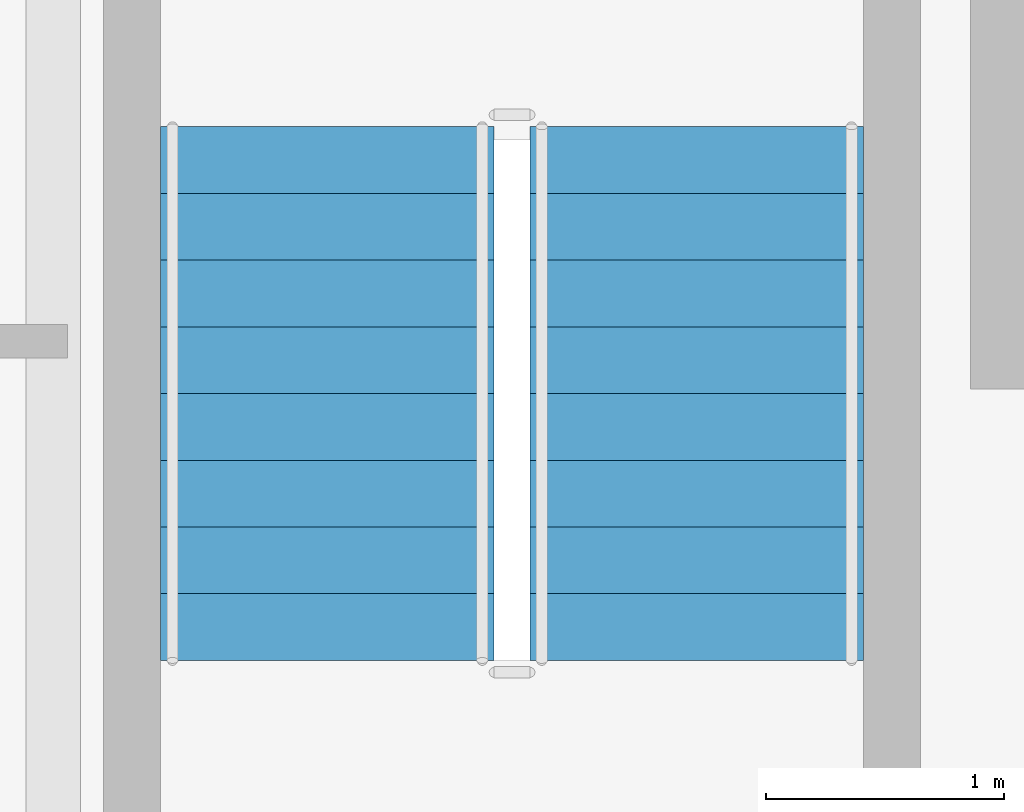
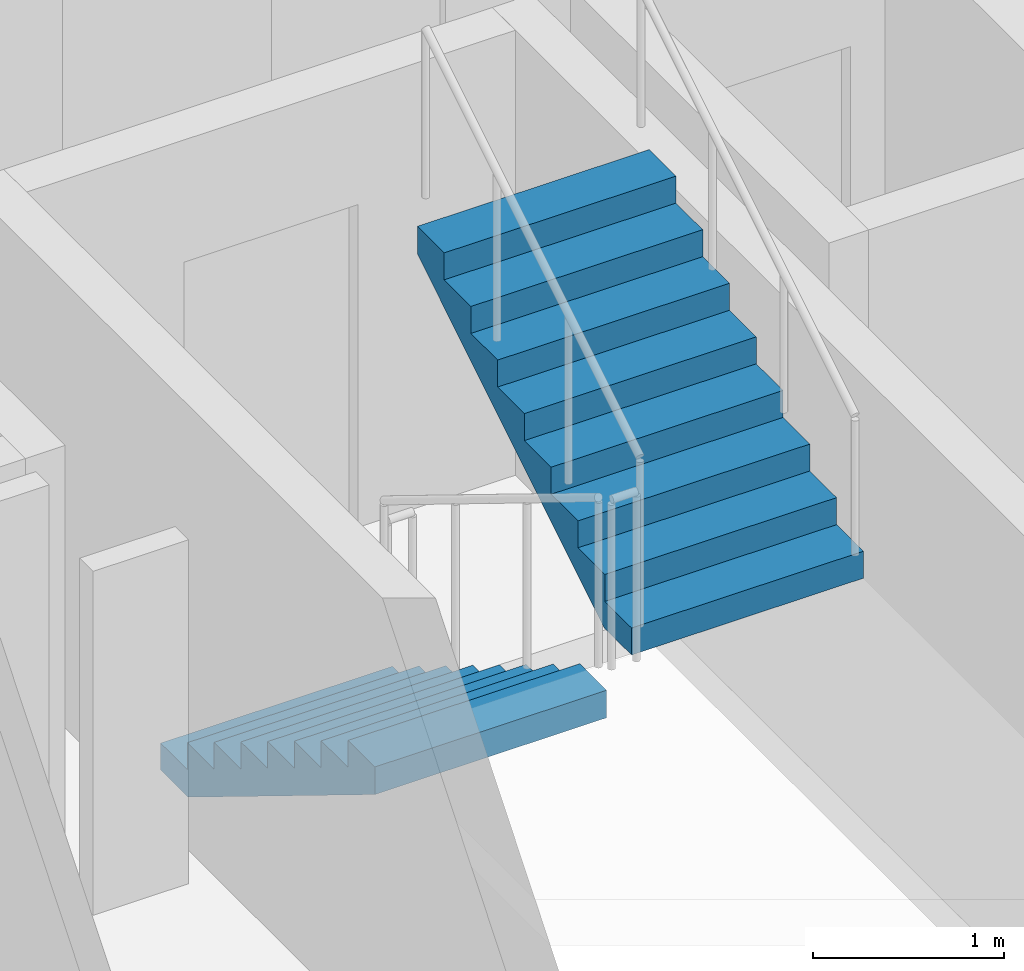
# One storey, part 33 of 36: 2 stair flights, 1 element without a shape of its own.
"""IFC4 building model written with IfcOpenShell, lengths in metres."""

from ifc_helpers import new_model, si_unit, direction, frame, origin, place, context, subcontext, project, spatial, polyline, outline, extrude, material, layer, layer_set, type_object, element, aggregate, save


model = new_model("IFC4")

# Units and contexts
model_context = context("Model", 3, precision=1e-05, world=origin(), true_north=direction((0.0, 1.0)))
body_context = subcontext(model_context, "Body", "Model", "MODEL_VIEW")
ifc_project = project(units=[si_unit("LENGTHUNIT", "METRE"), si_unit("AREAUNIT", "SQUARE_METRE"), si_unit("VOLUMEUNIT", "CUBIC_METRE"), si_unit("PLANEANGLEUNIT", "RADIAN"), si_unit("MASSUNIT", "GRAM", prefix="KILO")], contexts=[model_context])

# Site, building, storey
site_placement = place(None, origin())
site = spatial("IfcSite", under=ifc_project, at=site_placement, CompositionType="ELEMENT")
building_placement = place(site_placement, origin())
building = spatial("IfcBuilding", under=site, at=building_placement, Name="Brevholm Reach", CompositionType="ELEMENT")
storey_placement = place(building_placement, frame((0.0, 0.0, 175.89990234375)))
storey = spatial("IfcBuildingStorey", under=building, at=storey_placement, Name="L53", CompositionType="ELEMENT", Elevation=175.89990234375)

# Stair, stair flights
ifc_material_1 = material(Name="Precast Concrete C40/50", Category="concrete")
stair_type = type_object("IfcStairType", Name="STR-ESC-1400", PredefinedType="DOUBLE_RETURN_STAIR", material=ifc_material_1)
stair_placement = place(storey_placement, origin())
stair = element("IfcStair", 1, at=stair_placement, inside=storey, type_object=stair_type, Name="L53 ST-2", PredefinedType="DOUBLE_RETURN_STAIR")
ifc_material_2 = material(Name="Precast Concrete C40/50", Category="concrete")
ifc_layer = layer(ifc_material_2, 0.18505859375)
ifc_layer_set = layer_set([ifc_layer], Name="Precast Concrete C40/50")
stair_flight_type = type_object("IfcStairFlightType", Name="STF-PRC-185", PredefinedType="STRAIGHT", material=ifc_layer_set)
stair_flight_1_placement = place(storey_placement, frame((43.14990234375, 8.10009765625, 0.0), z_axis=(0.0, 0.0, 1.0), x_axis=(0.0, -1.0, 0.0)))
stair_flight_1 = element("IfcStairFlight", 2, at=stair_flight_1_placement, type_object=stair_flight_type, Name="ST-2 flight 1", NumberOfRisers=9, NumberOfTreads=8, PredefinedType="STRAIGHT", RiserHeight=0.172222222, TreadLength=0.28, context=body_context, shape_type="SweptSolid", body=[
    extrude(outline(polyline([(0.0, 0.0), (0.0, 0.172119140625), (0.280029296875, 0.172119140625), (0.280029296875, 0.344482421875), (0.56005859375, 0.344482421875), (0.56005859375, 0.5166015625), (0.840087890625, 0.5166015625), (0.840087890625, 0.68896484375), (1.1201171875, 0.68896484375), (1.1201171875, 0.861083984375), (1.39990234375, 0.861083984375), (1.39990234375, 1.033447265625), (1.679931640625, 1.033447265625), (1.679931640625, 1.20556640625), (1.9599609375, 1.20556640625), (1.9599609375, 1.377685546875), (2.239990234375, 1.377685546875), (2.239990234375, 1.550048828125), (2.239990234375, 1.201904296875), (0.2861328125, 0.0), (0.0, 0.0)])), frame((0.0, 0.699951171875, 0.0), z_axis=(0.0, -1.0, 0.0), x_axis=(1.0, 0.0, 0.0)), (0.0, 0.0, 1.0), 1.39990234375),
])
stair_flight_2_placement = place(storey_placement, frame((44.699951171875, 5.860107421875, 1.550048828125), z_axis=(0.0, 0.0, 1.0), x_axis=(0.0, 1.0, 0.0)))
stair_flight_2 = element("IfcStairFlight", 3, at=stair_flight_2_placement, type_object=stair_flight_type, Name="ST-2 flight 2", NumberOfRisers=9, NumberOfTreads=8, PredefinedType="STRAIGHT", RiserHeight=0.172222222, TreadLength=0.28, context=body_context, shape_type="SweptSolid", body=[
    extrude(outline(polyline([(0.0, 0.0), (0.0, 0.172119140625), (0.280029296875, 0.172119140625), (0.280029296875, 0.344482421875), (0.56005859375, 0.344482421875), (0.56005859375, 0.5166015625), (0.840087890625, 0.5166015625), (0.840087890625, 0.68896484375), (1.1201171875, 0.68896484375), (1.1201171875, 0.861083984375), (1.39990234375, 0.861083984375), (1.39990234375, 1.033447265625), (1.679931640625, 1.033447265625), (1.679931640625, 1.20556640625), (1.9599609375, 1.20556640625), (1.9599609375, 1.377685546875), (2.239990234375, 1.377685546875), (2.239990234375, 1.550048828125), (2.239990234375, 1.201904296875), (0.2861328125, 0.0), (0.0, 0.0)])), frame((0.0, 0.699951171875, 0.0), z_axis=(0.0, -1.0, 0.0), x_axis=(1.0, 0.0, 0.0)), (0.0, 0.0, 1.0), 1.39990234375),
])
aggregate(stair, [stair_flight_1, stair_flight_2])

save(model, "model.ifc")
